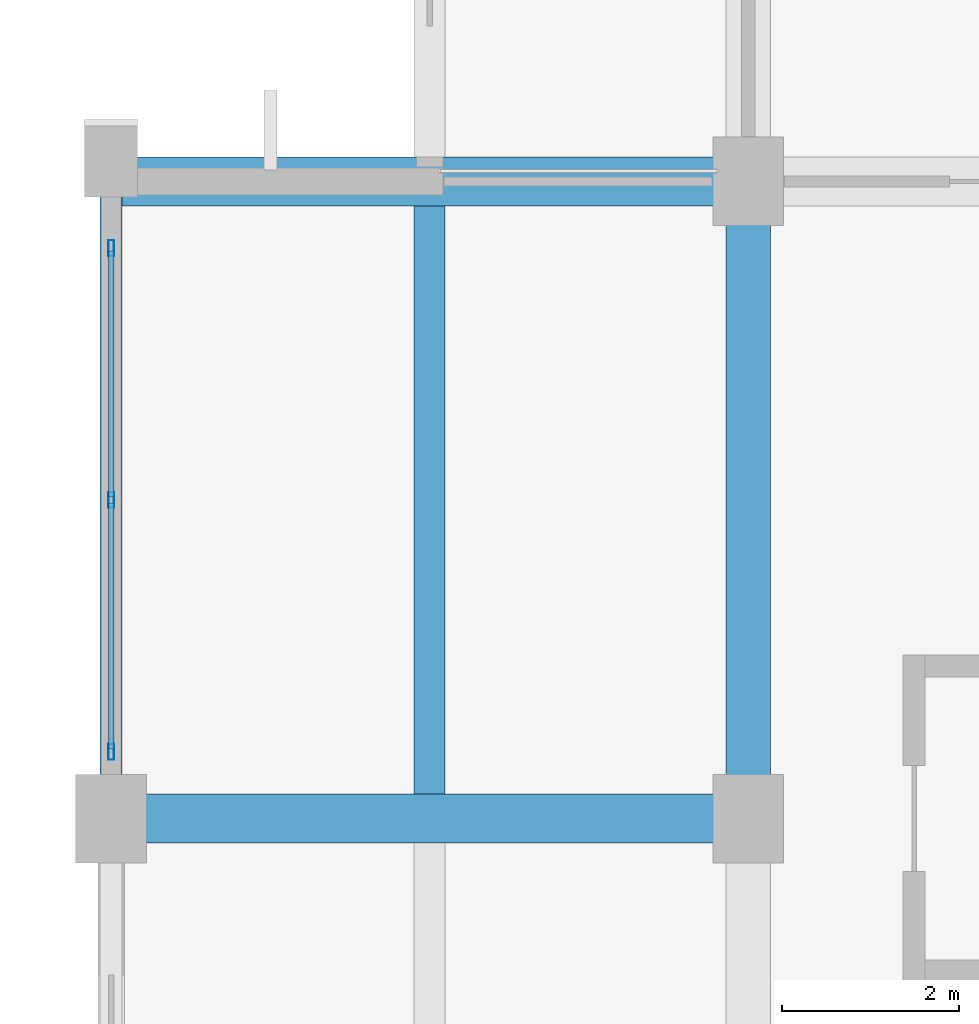
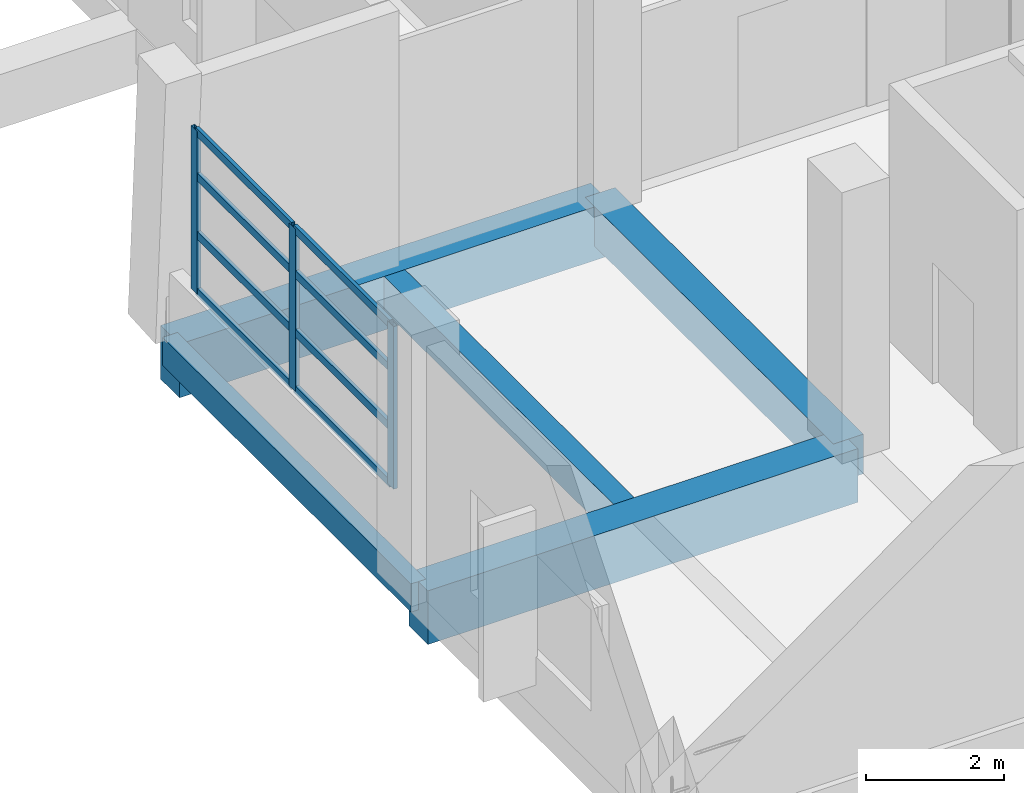
# One storey, part 4 of 181: 11 members, 5 beams, 1 element without a shape of its own.
"""IFC4 building model written with IfcOpenShell, lengths in metres."""

from ifc_helpers import new_model, si_unit, direction, frame, origin, origin_2d, place, context, subcontext, project, spatial, rectangle, hollow_rectangle, extrude, material, layer, layer_set, material_profile, profile_set, type_object, element, aggregate, save


model = new_model("IFC4")

# Units and contexts
model_context = context("Model", 3, precision=1e-05, world=origin(), true_north=direction((0.0, 1.0)))
body_context = subcontext(model_context, "Body", "Model", "MODEL_VIEW")
ifc_project = project(units=[si_unit("LENGTHUNIT", "METRE"), si_unit("AREAUNIT", "SQUARE_METRE"), si_unit("VOLUMEUNIT", "CUBIC_METRE"), si_unit("PLANEANGLEUNIT", "RADIAN"), si_unit("MASSUNIT", "GRAM", prefix="KILO")], contexts=[model_context])

# Site, building, storey
site_placement = place(None, origin())
site = spatial("IfcSite", under=ifc_project, at=site_placement, CompositionType="ELEMENT")
building_placement = place(site_placement, origin())
building = spatial("IfcBuilding", under=site, at=building_placement, Name="Seraya Terrace Polytechnic", CompositionType="ELEMENT")
storey_placement = place(building_placement, frame((0.0, 0.0, 4.800048828125)))
storey = spatial("IfcBuildingStorey", under=building, at=storey_placement, Name="L01", CompositionType="ELEMENT", Elevation=4.800048828125)

# Beams
ifc_material_1 = material(Name="Concrete C40/50", Category="concrete")
ifc_material_profile_1 = material_profile(ifc_material_1, rectangle(XDim=0.550048828125, YDim=0.949951171875, at=origin_2d()), Name="RC 550x950")
ifc_profile_set_1 = profile_set([ifc_material_profile_1], Name="Concrete C40/50")
beam_type_1 = type_object("IfcBeamType", Name="BM-03", PredefinedType="BEAM", material=ifc_profile_set_1)
for number, where, z_axis, x_axis, name in (
    (1, (0.0, 21.60009765625, -0.47509765625), (1.0, 0.0, 0.0), (0.0, 1.0, 0.0), "Beam BM-03 L01 X (0.0..7.2, 21.6)"),
    (2, (0.0, 28.800048828125, -0.47509765625), (1.0, 0.0, 0.0), (0.0, 1.0, 0.0), "Beam BM-03 L01 X (0.0..7.2, 28.8)"),
):
    element("IfcBeam", number, at=place(storey_placement, frame(where, z_axis=z_axis, x_axis=x_axis)), inside=storey, type_object=beam_type_1, Name=name, PredefinedType="BEAM", context=body_context, shape_type="SweptSolid", body=[
        extrude(rectangle(XDim=0.550048828125, YDim=0.949951171875, at=origin_2d()), origin(), (0.0, 0.0, 1.0), 7.199951171875),
    ])
ifc_material_profile_2 = material_profile(ifc_material_1, rectangle(XDim=0.5, YDim=0.699951171875, at=origin_2d()), Name="RC 500x700")
ifc_profile_set_2 = profile_set([ifc_material_profile_2], Name="Concrete C40/50")
beam_type_2 = type_object("IfcBeamType", Name="BM-07", PredefinedType="BEAM", material=ifc_profile_set_2)
beam_1_placement = place(storey_placement, frame((7.199951171875, 21.60009765625, -0.35009765625), z_axis=(0.0, 1.0, 0.0), x_axis=(-1.0, 0.0, 0.0)))
element("IfcBeam", 3, at=beam_1_placement, inside=storey, type_object=beam_type_2, Name="Beam BM-07 L01 Y (7.2, 21.6..28.8)", PredefinedType="BEAM", context=body_context, shape_type="SweptSolid", body=[
    extrude(rectangle(XDim=0.5, YDim=0.699951171875, at=origin_2d()), origin(), (0.0, 0.0, 1.0), 7.199951171875),
])

# Curtain wall, members
ifc_material_2 = material(Name="Anodised aluminium EN AW-6063 T6", Category="aluminium")
ifc_layer = layer(ifc_material_2, 0.179931640625, Name="CW-01")
ifc_layer_set = layer_set([ifc_layer], Name="Anodised aluminium EN AW-6063 T6")
curtain_wall_type = type_object("IfcCurtainWallType", Name="CW-01", PredefinedType="NOTDEFINED", material=ifc_layer_set)
curtain_wall_placement = place(storey_placement, origin())
curtain_wall = element("IfcCurtainWall", 4, at=curtain_wall_placement, inside=storey, type_object=curtain_wall_type, Name="Unitised curtain wall CW-01 (CW-L01-001)", PredefinedType="NOTDEFINED")
ifc_material_profile_3 = material_profile(ifc_material_2, hollow_rectangle(XDim=0.06494140625, YDim=0.179931640625, WallThickness=0.00390625, at=origin_2d()), Name="RHS 180x65x4.0")
ifc_profile_set_3 = profile_set([ifc_material_profile_3], Name="Anodised aluminium EN AW-6063 T6")
member_type_1 = type_object("IfcMemberType", Name="CWM-01", PredefinedType="MULLION", material=ifc_profile_set_3)
member_1_placement = place(storey_placement, frame((0.0, 22.3525390625, 1.239990234375), z_axis=(0.0, 0.0, 1.0), x_axis=(-1.0, 0.0, 0.0)))
member_1 = element("IfcMember", 5, at=member_1_placement, type_object=member_type_1, Name="CW-01 mullion 1", PredefinedType="MULLION", context=body_context, shape_type="SweptSolid", body=[
    extrude(hollow_rectangle(XDim=0.06494140625, YDim=0.179931640625, WallThickness=0.00390625, at=origin_2d()), origin(), (0.0, 0.0, 1.0), 2.8798828125),
])
member_2_placement = place(storey_placement, frame((0.0, 25.199951171875, 1.239990234375), z_axis=(0.0, 0.0, 1.0), x_axis=(-1.0, 0.0, 0.0)))
member_2 = element("IfcMember", 6, at=member_2_placement, type_object=member_type_1, Name="CW-01 mullion 2", PredefinedType="MULLION", context=body_context, shape_type="SweptSolid", body=[
    extrude(hollow_rectangle(XDim=0.06494140625, YDim=0.179931640625, WallThickness=0.00390625, at=origin_2d()), origin(), (0.0, 0.0, 1.0), 2.8798828125),
])
member_3_placement = place(storey_placement, frame((0.0, 28.047607421875, 1.239990234375), z_axis=(0.0, 0.0, 1.0), x_axis=(-1.0, 0.0, 0.0)))
member_3 = element("IfcMember", 7, at=member_3_placement, type_object=member_type_1, Name="CW-01 mullion 3", PredefinedType="MULLION", context=body_context, shape_type="SweptSolid", body=[
    extrude(hollow_rectangle(XDim=0.06494140625, YDim=0.179931640625, WallThickness=0.00390625, at=origin_2d()), origin(), (0.0, 0.0, 1.0), 2.8798828125),
])
ifc_material_profile_4 = material_profile(ifc_material_2, hollow_rectangle(XDim=0.06005859375, YDim=0.139892578125, WallThickness=0.00341796875, at=origin_2d()), Name="RHS 140x60x3.5")
ifc_profile_set_4 = profile_set([ifc_material_profile_4], Name="Anodised aluminium EN AW-6063 T6")
member_type_2 = type_object("IfcMemberType", Name="CWT-01", PredefinedType="USERDEFINED", material=ifc_profile_set_4)
member_4_placement = place(storey_placement, frame((0.0, 22.385009765625, 1.27001953125), z_axis=(0.0, 1.0, 0.0), x_axis=(-1.0, 0.0, 0.0)))
member_4 = element("IfcMember", 8, at=member_4_placement, type_object=member_type_2, Name="CW-01 transom 1.1", ObjectType="TRANSOM", PredefinedType="USERDEFINED", context=body_context, shape_type="SweptSolid", body=[
    extrude(hollow_rectangle(XDim=0.06005859375, YDim=0.139892578125, WallThickness=0.00341796875, at=origin_2d()), origin(), (0.0, 0.0, 1.0), 2.782470703125),
])
member_5_placement = place(storey_placement, frame((0.0, 22.385009765625, 2.27685546875), z_axis=(0.0, 1.0, 0.0), x_axis=(-1.0, 0.0, 0.0)))
member_5 = element("IfcMember", 9, at=member_5_placement, type_object=member_type_2, Name="CW-01 transom 1.2", ObjectType="TRANSOM", PredefinedType="USERDEFINED", context=body_context, shape_type="SweptSolid", body=[
    extrude(hollow_rectangle(XDim=0.06005859375, YDim=0.139892578125, WallThickness=0.00341796875, at=origin_2d()), origin(), (0.0, 0.0, 1.0), 2.782470703125),
])
member_6_placement = place(storey_placement, frame((0.0, 22.385009765625, 3.3134765625), z_axis=(0.0, 1.0, 0.0), x_axis=(-1.0, 0.0, 0.0)))
member_6 = element("IfcMember", 10, at=member_6_placement, type_object=member_type_2, Name="CW-01 transom 1.3", ObjectType="TRANSOM", PredefinedType="USERDEFINED", context=body_context, shape_type="SweptSolid", body=[
    extrude(hollow_rectangle(XDim=0.06005859375, YDim=0.139892578125, WallThickness=0.00341796875, at=origin_2d()), origin(), (0.0, 0.0, 1.0), 2.782470703125),
])
member_7_placement = place(storey_placement, frame((0.0, 22.385009765625, 4.08984375), z_axis=(0.0, 1.0, 0.0), x_axis=(-1.0, 0.0, 0.0)))
member_7 = element("IfcMember", 11, at=member_7_placement, type_object=member_type_2, Name="CW-01 transom 1.4", ObjectType="TRANSOM", PredefinedType="USERDEFINED", context=body_context, shape_type="SweptSolid", body=[
    extrude(hollow_rectangle(XDim=0.06005859375, YDim=0.139892578125, WallThickness=0.00341796875, at=origin_2d()), origin(), (0.0, 0.0, 1.0), 2.782470703125),
])
member_8_placement = place(storey_placement, frame((0.0, 25.232421875, 1.27001953125), z_axis=(0.0, 1.0, 0.0), x_axis=(-1.0, 0.0, 0.0)))
member_8 = element("IfcMember", 12, at=member_8_placement, type_object=member_type_2, Name="CW-01 transom 2.1", ObjectType="TRANSOM", PredefinedType="USERDEFINED", context=body_context, shape_type="SweptSolid", body=[
    extrude(hollow_rectangle(XDim=0.06005859375, YDim=0.139892578125, WallThickness=0.00341796875, at=origin_2d()), origin(), (0.0, 0.0, 1.0), 2.782470703125),
])
member_9_placement = place(storey_placement, frame((0.0, 25.232421875, 2.27685546875), z_axis=(0.0, 1.0, 0.0), x_axis=(-1.0, 0.0, 0.0)))
member_9 = element("IfcMember", 13, at=member_9_placement, type_object=member_type_2, Name="CW-01 transom 2.2", ObjectType="TRANSOM", PredefinedType="USERDEFINED", context=body_context, shape_type="SweptSolid", body=[
    extrude(hollow_rectangle(XDim=0.06005859375, YDim=0.139892578125, WallThickness=0.00341796875, at=origin_2d()), origin(), (0.0, 0.0, 1.0), 2.782470703125),
])
member_10_placement = place(storey_placement, frame((0.0, 25.232421875, 3.3134765625), z_axis=(0.0, 1.0, 0.0), x_axis=(-1.0, 0.0, 0.0)))
member_10 = element("IfcMember", 14, at=member_10_placement, type_object=member_type_2, Name="CW-01 transom 2.3", ObjectType="TRANSOM", PredefinedType="USERDEFINED", context=body_context, shape_type="SweptSolid", body=[
    extrude(hollow_rectangle(XDim=0.06005859375, YDim=0.139892578125, WallThickness=0.00341796875, at=origin_2d()), origin(), (0.0, 0.0, 1.0), 2.782470703125),
])
member_11_placement = place(storey_placement, frame((0.0, 25.232421875, 4.08984375), z_axis=(0.0, 1.0, 0.0), x_axis=(-1.0, 0.0, 0.0)))
member_11 = element("IfcMember", 15, at=member_11_placement, type_object=member_type_2, Name="CW-01 transom 2.4", ObjectType="TRANSOM", PredefinedType="USERDEFINED", context=body_context, shape_type="SweptSolid", body=[
    extrude(hollow_rectangle(XDim=0.06005859375, YDim=0.139892578125, WallThickness=0.00341796875, at=origin_2d()), origin(), (0.0, 0.0, 1.0), 2.782470703125),
])
aggregate(curtain_wall, [member_1, member_2, member_3, member_4, member_5, member_6, member_7, member_8, member_9, member_10, member_11])

# Beams
ifc_material_profile_5 = material_profile(ifc_material_1, rectangle(XDim=0.35009765625, YDim=0.60009765625, at=origin_2d()), Name="RC 350x600")
ifc_profile_set_5 = profile_set([ifc_material_profile_5], Name="Concrete C40/50")
beam_type_3 = type_object("IfcBeamType", Name="JS-02", PredefinedType="JOIST", material=ifc_profile_set_5)
beam_2_placement = place(storey_placement, frame((3.60009765625, 21.875, -0.300048828125), z_axis=(0.0, 1.0, 0.0), x_axis=(-1.0, 0.0, 0.0)))
element("IfcBeam", 16, at=beam_2_placement, inside=storey, type_object=beam_type_3, Name="Secondary joist JS-02 L01", PredefinedType="JOIST", context=body_context, shape_type="SweptSolid", body=[
    extrude(rectangle(XDim=0.35009765625, YDim=0.60009765625, at=origin_2d()), origin(), (0.0, 0.0, 1.0), 6.64990234375),
])
ifc_material_profile_6 = material_profile(ifc_material_1, rectangle(XDim=0.25, YDim=0.5, at=origin_2d()), Name="RC 250x500")
ifc_profile_set_6 = profile_set([ifc_material_profile_6], Name="Concrete C40/50")
beam_type_4 = type_object("IfcBeamType", Name="SP-03", PredefinedType="SPANDREL", material=ifc_profile_set_6)
beam_3_placement = place(storey_placement, frame((0.0, 21.60009765625, -0.25), z_axis=(0.0, 1.0, 0.0), x_axis=(-1.0, 0.0, 0.0)))
element("IfcBeam", 17, at=beam_3_placement, inside=storey, type_object=beam_type_4, Name="Beam SP-03 L01 Y (0.0, 21.6..28.8)", PredefinedType="SPANDREL", context=body_context, shape_type="SweptSolid", body=[
    extrude(rectangle(XDim=0.25, YDim=0.5, at=origin_2d()), origin(), (0.0, 0.0, 1.0), 7.199951171875),
])

save(model, "model.ifc")
